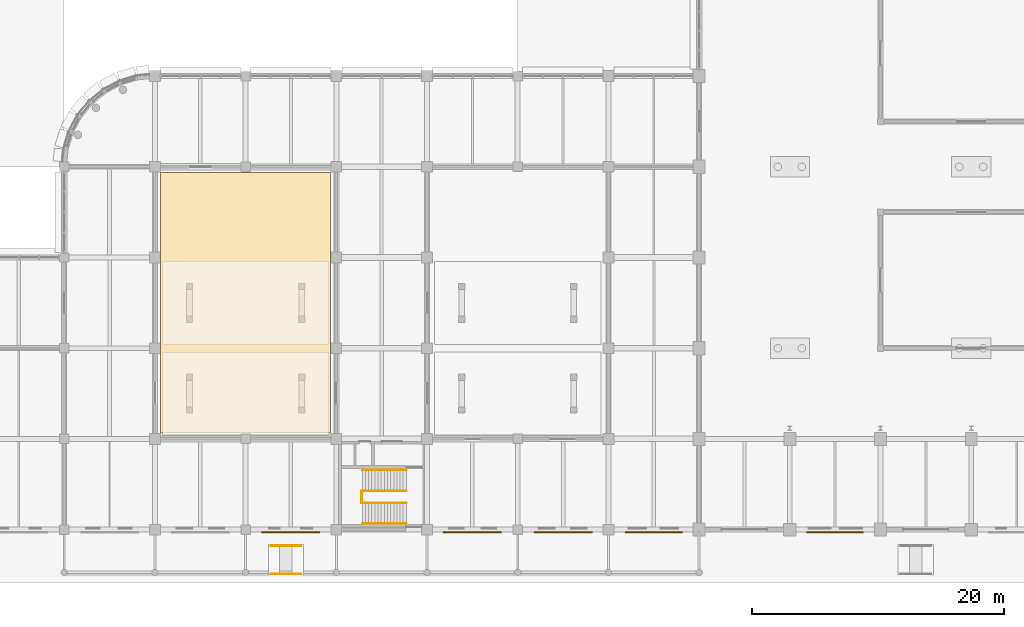
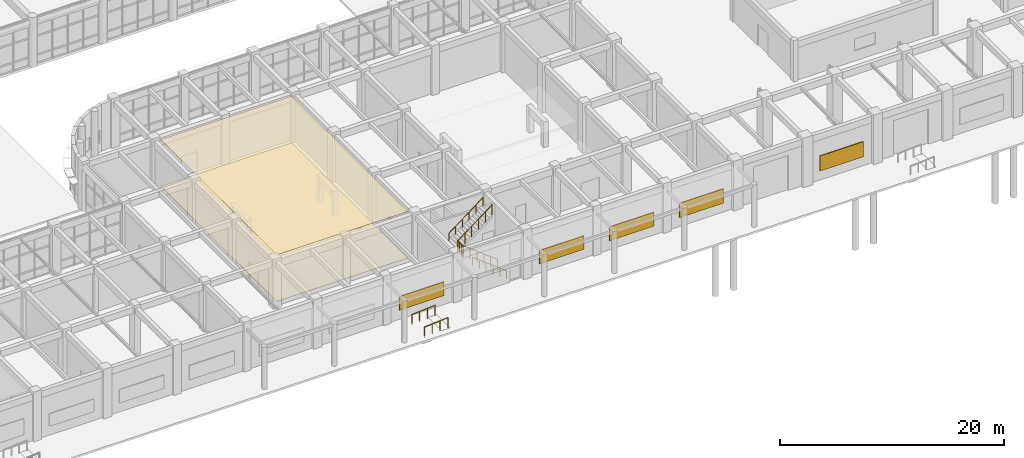
# One storey, part 153 of 160: 7 railings, 5 shading devices, 2 coverings.
"""IFC4 building model written with IfcOpenShell, lengths in metres."""

from ifc_helpers import new_model, si_unit, direction, frame, origin, origin_2d, place, context, subcontext, project, spatial, polyline, rectangle, circle, outline, extrude, material, layer, layer_set, type_object, element, save


model = new_model("IFC4")

# Units and contexts
model_context = context("Model", 3, precision=1e-05, world=origin(), true_north=direction((0.0, 1.0)))
body_context = subcontext(model_context, "Body", "Model", "MODEL_VIEW")
ifc_project = project(units=[si_unit("LENGTHUNIT", "METRE"), si_unit("AREAUNIT", "SQUARE_METRE"), si_unit("VOLUMEUNIT", "CUBIC_METRE"), si_unit("PLANEANGLEUNIT", "RADIAN"), si_unit("MASSUNIT", "GRAM", prefix="KILO")], contexts=[model_context])

# Site, building, storey
site_placement = place(None, origin())
site = spatial("IfcSite", under=ifc_project, at=site_placement, CompositionType="ELEMENT")
building_placement = place(site_placement, origin())
building = spatial("IfcBuilding", under=site, at=building_placement, Name="Thalmaran Polytechnic", CompositionType="ELEMENT")
storey_placement = place(building_placement, origin())
storey = spatial("IfcBuildingStorey", under=building, at=storey_placement, Name="L00", CompositionType="ELEMENT", Elevation=0.0)

# Coverings
ifc_material_1 = material(Name="Acoustic mineral fibre ceiling")
ifc_layer_1 = layer(ifc_material_1, 0.02490234375, Name="Acoustic mineral fibre ceiling")
ifc_layer_set_1 = layer_set([ifc_layer_1], Name="Acoustic mineral fibre ceiling")
covering_type_1 = type_object("IfcCoveringType", Name="CV-CL01", PredefinedType="CEILING", material=ifc_layer_set_1)
covering_1_placement = place(storey_placement, frame((0.0, 0.0, 5.06494140625)))
element("IfcCovering", 1, at=covering_1_placement, inside=storey, type_object=covering_type_1, Name="Lecture Theatre 1 (75 Seats) Acoustic Ceiling", PredefinedType="CEILING", context=body_context, shape_type="SweptSolid", body=[
    extrude(outline(polyline([(65.25, 28.35009765625), (78.75, 28.35009765625), (78.75, 7.64990234375), (65.25, 7.64990234375), (65.25, 28.35009765625)])), origin(), (0.0, 0.0, 1.0), 0.025146484375),
])
ifc_material_2 = material(Name="Polished terrazzo and epoxy lab flooring")
ifc_layer_2 = layer(ifc_material_2, 0.02001953125, Name="Polished terrazzo and epoxy lab flooring")
ifc_layer_set_2 = layer_set([ifc_layer_2], Name="Polished terrazzo and epoxy lab flooring")
covering_type_2 = type_object("IfcCoveringType", Name="CV-FL01", PredefinedType="FLOORING", material=ifc_layer_set_2)
covering_2_placement = place(storey_placement, origin())
element("IfcCovering", 2, at=covering_2_placement, inside=storey, type_object=covering_type_2, Name="Lecture Theatre 1 (75 Seats) Specialist Finish Flooring", PredefinedType="FLOORING", context=body_context, shape_type="SweptSolid", body=[
    extrude(outline(polyline([(65.25, 28.35009765625), (78.75, 28.35009765625), (78.75, 7.64990234375), (65.25, 7.64990234375), (65.25, 28.35009765625)])), origin(), (0.0, 0.0, 1.0), 0.02001953125),
])

# Railings
ifc_material_3 = material(Name="Stainless steel 316", Category="steel")
railing_type_1 = type_object("IfcRailingType", Name="RL-GR01", PredefinedType="GUARDRAIL", material=ifc_material_3)
railing_1_placement = place(storey_placement, frame((84.760009765625, 2.1201171875, 0.0)))
element("IfcRailing", 3, at=railing_1_placement, inside=storey, type_object=railing_type_1, Name="ST7 L00 Lower Flight Guardrail", PredefinedType="GUARDRAIL", context=body_context, shape_type="SweptSolid", body=[
    extrude(circle(Radius=0.02392578125, at=origin_2d()), frame((0.0, 0.0, 1.1259765625), z_axis=(-0.791787597706, 0.0, 0.610796529229), x_axis=(0.0, -1.0, 0.0)), (0.0, 0.0, 1.0), 4.42041015625),
    extrude(circle(Radius=0.02099609375, at=origin_2d()), origin(), (0.0, 0.0, 1.0), 1.101806640625),
    extrude(circle(Radius=0.02099609375, at=origin_2d()), frame((-0.699951171875, 0.0, 0.5400390625)), (0.0, 0.0, 1.0), 1.101806640625),
    extrude(circle(Radius=0.02099609375, at=origin_2d()), frame((-1.39990234375, 0.0, 1.080078125)), (0.0, 0.0, 1.0), 1.101806640625),
    extrude(circle(Radius=0.02099609375, at=origin_2d()), frame((-2.10009765625, 0.0, 1.619873046875)), (0.0, 0.0, 1.0), 1.101806640625),
    extrude(circle(Radius=0.02099609375, at=origin_2d()), frame((-2.800048828125, 0.0, 2.159912109375)), (0.0, 0.0, 1.0), 1.101806640625),
    extrude(circle(Radius=0.02099609375, at=origin_2d()), frame((-3.5, 0.0, 2.699951171875)), (0.0, 0.0, 1.0), 1.101806640625),
])
railing_2_placement = place(storey_placement, frame((81.219970703125, 2.10009765625, 2.699951171875)))
element("IfcRailing", 4, at=railing_2_placement, inside=storey, type_object=railing_type_1, Name="ST7 L00 Half-Landing Well Guardrail", PredefinedType="GUARDRAIL", context=body_context, shape_type="SweptSolid", body=[
    extrude(circle(Radius=0.02392578125, at=origin_2d()), frame((0.0, 0.0, 1.1259765625), z_axis=(0.0, 1.0, 0.0), x_axis=(-1.0, 0.0, 0.0)), (0.0, 0.0, 1.0), 0.97998046875),
    extrude(circle(Radius=0.02099609375, at=origin_2d()), origin(), (0.0, 0.0, 1.0), 1.101806640625),
    extrude(circle(Radius=0.02099609375, at=origin_2d()), frame((0.0, 0.32666015625, 0.0)), (0.0, 0.0, 1.0), 1.101806640625),
    extrude(circle(Radius=0.02099609375, at=origin_2d()), frame((0.0, 0.6533203125, 0.0)), (0.0, 0.0, 1.0), 1.101806640625),
    extrude(circle(Radius=0.02099609375, at=origin_2d()), frame((0.0, 0.97998046875, 0.0)), (0.0, 0.0, 1.0), 1.101806640625),
])
railing_3_placement = place(storey_placement, frame((81.260009765625, 3.06005859375, 2.699951171875)))
element("IfcRailing", 5, at=railing_3_placement, inside=storey, type_object=railing_type_1, Name="ST7 L00 Upper Flight Guardrail", PredefinedType="GUARDRAIL", context=body_context, shape_type="SweptSolid", body=[
    extrude(circle(Radius=0.02392578125, at=origin_2d()), frame((0.0, 0.0, 1.1259765625), z_axis=(0.791787597706, 0.0, 0.610796529229), x_axis=(0.0, 1.0, 0.0)), (0.0, 0.0, 1.0), 4.42041015625),
    extrude(circle(Radius=0.02099609375, at=origin_2d()), origin(), (0.0, 0.0, 1.0), 1.101806640625),
    extrude(circle(Radius=0.02099609375, at=origin_2d()), frame((0.699951171875, 0.0, 0.5400390625)), (0.0, 0.0, 1.0), 1.101806640625),
    extrude(circle(Radius=0.02099609375, at=origin_2d()), frame((1.39990234375, 0.0, 1.080078125)), (0.0, 0.0, 1.0), 1.101806640625),
    extrude(circle(Radius=0.02099609375, at=origin_2d()), frame((2.10009765625, 0.0, 1.619873046875)), (0.0, 0.0, 1.0), 1.101806640625),
    extrude(circle(Radius=0.02099609375, at=origin_2d()), frame((2.800048828125, 0.0, 2.159912109375)), (0.0, 0.0, 1.0), 1.101806640625),
    extrude(circle(Radius=0.02099609375, at=origin_2d()), frame((3.5, 0.0, 2.699951171875)), (0.0, 0.0, 1.0), 1.101806640625),
])
for number, where, name in (
    (6, (74.0, -3.52001953125, -0.179931640625), "Ramp Guardrail PED2-A"),
    (7, (74.0, -1.280029296875, -0.179931640625), "Ramp Guardrail PED2-B"),
):
    element("IfcRailing", number, at=place(storey_placement, frame(where)), inside=storey, type_object=railing_type_1, Name=name, PredefinedType="GUARDRAIL", context=body_context, shape_type="SweptSolid", body=[
        extrude(circle(Radius=0.02392578125, at=origin_2d()), frame((0.0, 0.0, 1.1259765625), z_axis=(0.997201201018, 0.0, 0.074764728906), x_axis=(0.0, 1.0, 0.0)), (0.0, 0.0, 1.0), 2.40673828125),
        extrude(circle(Radius=0.02099609375, at=origin_2d()), origin(), (0.0, 0.0, 1.0), 1.101806640625),
        extrude(circle(Radius=0.02099609375, at=origin_2d()), frame((0.800048828125, 0.0, 0.06005859375)), (0.0, 0.0, 1.0), 1.101806640625),
        extrude(circle(Radius=0.02099609375, at=origin_2d()), frame((1.599853515625, 0.0, 0.119873046875)), (0.0, 0.0, 1.0), 1.101806640625),
        extrude(circle(Radius=0.02099609375, at=origin_2d()), frame((2.39990234375, 0.0, 0.179931640625)), (0.0, 0.0, 1.0), 1.101806640625),
    ])
railing_type_2 = type_object("IfcRailingType", Name="RL-HR01", PredefinedType="HANDRAIL", material=ifc_material_3)
railing_4_placement = place(storey_placement, frame((84.760009765625, 0.47998046875, 0.0)))
element("IfcRailing", 8, at=railing_4_placement, inside=storey, type_object=railing_type_2, Name="ST7 L00 Flight 1 Handrail", PredefinedType="HANDRAIL", context=body_context, shape_type="SweptSolid", body=[
    extrude(circle(Radius=0.02392578125, at=origin_2d()), frame((0.0, 0.0, 0.8759765625), z_axis=(-0.791787597706, 0.0, 0.610796529229), x_axis=(0.0, -1.0, 0.0)), (0.0, 0.0, 1.0), 4.42041015625),
    extrude(circle(Radius=0.02099609375, at=origin_2d()), origin(), (0.0, 0.0, 1.0), 0.851806640625),
    extrude(circle(Radius=0.02099609375, at=origin_2d()), frame((-0.699951171875, 0.0, 0.5400390625)), (0.0, 0.0, 1.0), 0.851806640625),
    extrude(circle(Radius=0.02099609375, at=origin_2d()), frame((-1.39990234375, 0.0, 1.080078125)), (0.0, 0.0, 1.0), 0.851806640625),
    extrude(circle(Radius=0.02099609375, at=origin_2d()), frame((-2.10009765625, 0.0, 1.619873046875)), (0.0, 0.0, 1.0), 0.851806640625),
    extrude(circle(Radius=0.02099609375, at=origin_2d()), frame((-2.800048828125, 0.0, 2.159912109375)), (0.0, 0.0, 1.0), 0.851806640625),
    extrude(circle(Radius=0.02099609375, at=origin_2d()), frame((-3.5, 0.0, 2.699951171875)), (0.0, 0.0, 1.0), 0.851806640625),
])
railing_5_placement = place(storey_placement, frame((81.260009765625, 4.719970703125, 2.699951171875)))
element("IfcRailing", 9, at=railing_5_placement, inside=storey, type_object=railing_type_2, Name="ST7 L00 Flight 2 Handrail", PredefinedType="HANDRAIL", context=body_context, shape_type="SweptSolid", body=[
    extrude(circle(Radius=0.02392578125, at=origin_2d()), frame((0.0, 0.0, 0.8759765625), z_axis=(0.791787597706, 0.0, 0.610796529229), x_axis=(0.0, 1.0, 0.0)), (0.0, 0.0, 1.0), 4.42041015625),
    extrude(circle(Radius=0.02099609375, at=origin_2d()), origin(), (0.0, 0.0, 1.0), 0.851806640625),
    extrude(circle(Radius=0.02099609375, at=origin_2d()), frame((0.699951171875, 0.0, 0.5400390625)), (0.0, 0.0, 1.0), 0.851806640625),
    extrude(circle(Radius=0.02099609375, at=origin_2d()), frame((1.39990234375, 0.0, 1.080078125)), (0.0, 0.0, 1.0), 0.851806640625),
    extrude(circle(Radius=0.02099609375, at=origin_2d()), frame((2.10009765625, 0.0, 1.619873046875)), (0.0, 0.0, 1.0), 0.851806640625),
    extrude(circle(Radius=0.02099609375, at=origin_2d()), frame((2.800048828125, 0.0, 2.159912109375)), (0.0, 0.0, 1.0), 0.851806640625),
    extrude(circle(Radius=0.02099609375, at=origin_2d()), frame((3.5, 0.0, 2.699951171875)), (0.0, 0.0, 1.0), 0.851806640625),
])

# Shading devices
ifc_material_4 = material(Name="Perforated anodised-bronze aluminium screen", Category="aluminium")
ifc_layer_3 = layer(ifc_material_4, 0.080078125, Name="Perforated anodised-bronze aluminium screen")
ifc_layer_set_3 = layer_set([ifc_layer_3], Name="Perforated anodised-bronze aluminium screen")
shading_device_type = type_object("IfcShadingDeviceType", Name="SH-JL01", PredefinedType="JALOUSIE", material=ifc_layer_set_3)
shading_device_1_placement = place(storey_placement, frame((118.800048828125, -0.219970703125, 1.025146484375), z_axis=(0.0, 0.0, 1.0), x_axis=(-1.0, 0.0, 0.0)))
element("IfcShadingDevice", 10, at=shading_device_1_placement, inside=storey, type_object=shading_device_type, Name="Anodised-Bronze Mashrabiya Solar Screen L00-076", PredefinedType="JALOUSIE", context=body_context, shape_type="SweptSolid", body=[
    extrude(rectangle(XDim=4.48193359375, YDim=0.080078125, at=origin_2d()), origin(), (0.0, 0.0, 1.0), 1.64990234375),
])
shading_device_2_placement = place(storey_placement, frame((104.39990234375, -0.219970703125, 1.02490234375), z_axis=(0.0, 0.0, 1.0), x_axis=(-1.0, 0.0, 0.0)))
element("IfcShadingDevice", 11, at=shading_device_2_placement, inside=storey, type_object=shading_device_type, Name="Anodised-Bronze Mashrabiya Solar Screen L00-078", PredefinedType="JALOUSIE", context=body_context, shape_type="SweptSolid", body=[
    extrude(rectangle(XDim=4.535888671875, YDim=0.080078125, at=origin_2d()), origin(), (0.0, 0.0, 1.0), 1.550048828125),
])
shading_device_3_placement = place(storey_placement, frame((97.199951171875, -0.219970703125, 1.02490234375), z_axis=(0.0, 0.0, 1.0), x_axis=(-1.0, 0.0, 0.0)))
element("IfcShadingDevice", 12, at=shading_device_3_placement, inside=storey, type_object=shading_device_type, Name="Anodised-Bronze Mashrabiya Solar Screen L00-079", PredefinedType="JALOUSIE", context=body_context, shape_type="SweptSolid", body=[
    extrude(rectangle(XDim=4.60791015625, YDim=0.080078125, at=origin_2d()), origin(), (0.0, 0.0, 1.0), 1.5),
])
shading_device_4_placement = place(storey_placement, frame((90.0, -0.219970703125, 1.02490234375), z_axis=(0.0, 0.0, 1.0), x_axis=(-1.0, 0.0, 0.0)))
element("IfcShadingDevice", 13, at=shading_device_4_placement, inside=storey, type_object=shading_device_type, Name="Anodised-Bronze Mashrabiya Solar Screen L00-080", PredefinedType="JALOUSIE", context=body_context, shape_type="SweptSolid", body=[
    extrude(rectangle(XDim=4.60791015625, YDim=0.080078125, at=origin_2d()), origin(), (0.0, 0.0, 1.0), 1.449951171875),
])
shading_device_5_placement = place(storey_placement, frame((75.60009765625, -0.219970703125, 1.02490234375), z_axis=(0.0, 0.0, 1.0), x_axis=(-1.0, 0.0, 0.0)))
element("IfcShadingDevice", 14, at=shading_device_5_placement, inside=storey, type_object=shading_device_type, Name="Anodised-Bronze Mashrabiya Solar Screen L00-082", PredefinedType="JALOUSIE", context=body_context, shape_type="SweptSolid", body=[
    extrude(rectangle(XDim=4.60791015625, YDim=0.080078125, at=origin_2d()), origin(), (0.0, 0.0, 1.0), 1.5),
])

save(model, "model.ifc")
